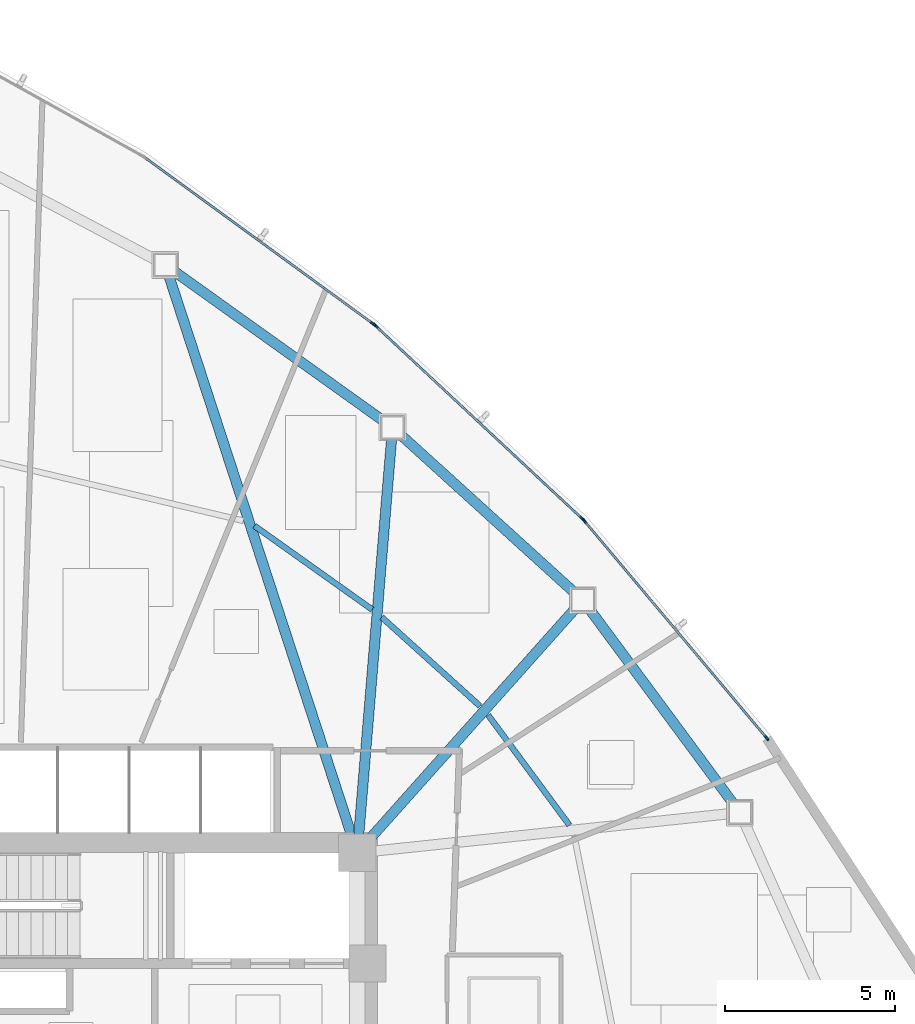
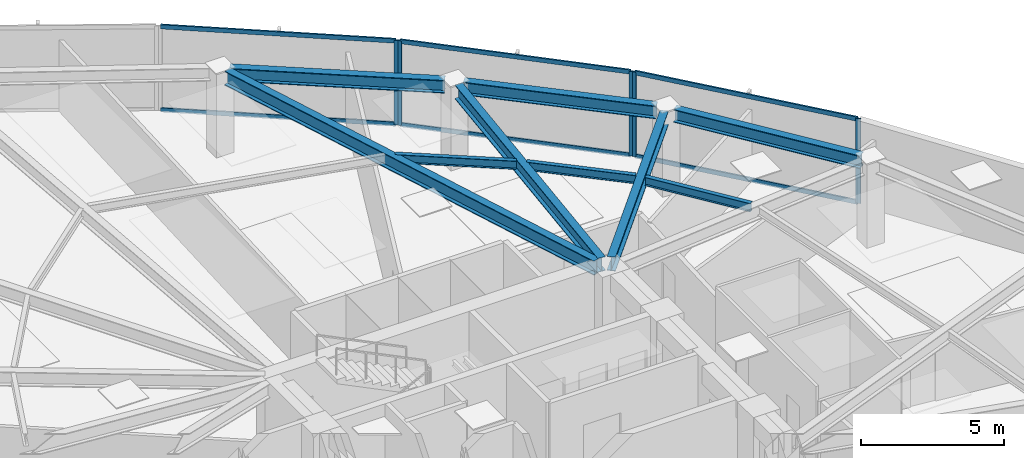
# One storey, part 9 of 17: 11 members, 9 beams, 3 elements without a shape of their own.
"""IFC4 building model written with IfcOpenShell, lengths in metres."""

from ifc_helpers import new_model, si_unit, direction, frame, origin, origin_2d, place, context, subcontext, project, spatial, hollow_rectangle, i_section, extrude, source, transform, mapped, material, layer, layer_set, material_profile, profile_set, type_object, type_shapes, element, aggregate, save


model = new_model("IFC4")

# Units and contexts
model_context = context("Model", 3, precision=1e-05, world=origin(), true_north=direction((0.0, 1.0)))
body_context = subcontext(model_context, "Body", "Model", "MODEL_VIEW")
ifc_project = project(units=[si_unit("LENGTHUNIT", "METRE"), si_unit("AREAUNIT", "SQUARE_METRE"), si_unit("VOLUMEUNIT", "CUBIC_METRE"), si_unit("PLANEANGLEUNIT", "RADIAN"), si_unit("MASSUNIT", "GRAM", prefix="KILO")], contexts=[model_context])

# Site, building, storey
site_placement = place(None, origin())
site = spatial("IfcSite", under=ifc_project, at=site_placement, CompositionType="ELEMENT")
building_placement = place(site_placement, origin())
building = spatial("IfcBuilding", under=site, at=building_placement, Name="Tavelor Broadcast Tower", CompositionType="ELEMENT")
storey_placement = place(building_placement, frame((0.0, 0.0, 82.199951171875)))
storey = spatial("IfcBuildingStorey", under=building, at=storey_placement, Name="L19", CompositionType="ELEMENT", Elevation=82.199951171875)

# Beams
ifc_material_1 = material(Name="Steel S355", Category="steel")
ifc_material_profile_1 = material_profile(ifc_material_1, i_section(OverallWidth=0.169921875, OverallDepth=0.360107421875, WebThickness=0.008056640625, FlangeThickness=0.0126953125, at=origin_2d()), Name="IPE 360")
ifc_profile_set_1 = profile_set([ifc_material_profile_1], Name="Steel S355")
beam_type_1 = type_object("IfcBeamType", Name="Composite Floor Joist T2 IPE 360", PredefinedType="JOIST", material=ifc_profile_set_1)
beam_1_placement = place(storey_placement, frame((62.831298828125, 52.012451171875, 3.420166015625), z_axis=(-0.593748309908, 0.804650821463, 0.0), x_axis=(-0.804650821463, -0.593748309908, 0.0)))
element("IfcBeam", 1, at=beam_1_placement, inside=storey, type_object=beam_type_1, Name="L19 Secondary Composite Floor Joist 15", PredefinedType="JOIST", context=body_context, shape_type="SweptSolid", body=[
    extrude(i_section(OverallWidth=0.169921875, OverallDepth=0.360107421875, WebThickness=0.008056640625, FlangeThickness=0.0126953125, at=origin_2d()), origin(), (0.0, 0.0, 1.0), 4.016845703125),
])
beam_2_placement = place(storey_placement, frame((60.20458984375, 55.51171875, 3.420166015625), z_axis=(-0.741870075826, 0.670543653011, 0.0), x_axis=(-0.670543653011, -0.741870075826, 0.0)))
element("IfcBeam", 2, at=beam_2_placement, inside=storey, type_object=beam_type_1, Name="L19 Secondary Composite Floor Joist 16", PredefinedType="JOIST", context=body_context, shape_type="SweptSolid", body=[
    extrude(i_section(OverallWidth=0.169921875, OverallDepth=0.360107421875, WebThickness=0.008056640625, FlangeThickness=0.0126953125, at=origin_2d()), origin(), (0.0, 0.0, 1.0), 3.891845703125),
])
beam_3_placement = place(storey_placement, frame((57.03564453125, 58.34765625, 3.420166015625), z_axis=(-0.814948080737, 0.579533972864, 0.0), x_axis=(-0.579533972864, -0.814948080737, 0.0)))
element("IfcBeam", 3, at=beam_3_placement, inside=storey, type_object=beam_type_1, Name="L19 Secondary Composite Floor Joist 17", PredefinedType="JOIST", context=body_context, shape_type="SweptSolid", body=[
    extrude(i_section(OverallWidth=0.169921875, OverallDepth=0.360107421875, WebThickness=0.008056640625, FlangeThickness=0.0126953125, at=origin_2d()), origin(), (0.0, 0.0, 1.0), 4.24462890625),
])
ifc_material_profile_2 = material_profile(ifc_material_1, i_section(OverallWidth=0.300048828125, OverallDepth=0.550048828125, WebThickness=0.014892578125, FlangeThickness=0.029052734375, at=origin_2d()), Name="HEB 550")
ifc_profile_set_2 = profile_set([ifc_material_profile_2], Name="Steel S355")
beam_type_2 = type_object("IfcBeamType", Name="Perimeter Spandrel Beam T2 HEB 550", PredefinedType="SPANDREL", material=ifc_profile_set_2)
beam_4_placement = place(storey_placement, frame((67.640869140625, 52.652587890625, 3.324951171875), z_axis=(-0.594676591659, 0.803965018724, 0.0), x_axis=(-0.803965018724, -0.594676591659, 0.0)))
element("IfcBeam", 4, at=beam_4_placement, inside=storey, type_object=beam_type_2, Name="L19 Framed-Tube Ring Spandrel 15", PredefinedType="SPANDREL", context=body_context, shape_type="SweptSolid", body=[
    extrude(i_section(OverallWidth=0.300048828125, OverallDepth=0.550048828125, WebThickness=0.014892578125, FlangeThickness=0.029052734375, at=origin_2d()), origin(), (0.0, 0.0, 1.0), 7.09130859375),
])
beam_5_placement = place(storey_placement, frame((62.975341796875, 58.849609375, 3.324951171875), z_axis=(-0.740416987409, 0.672147814663, 0.0), x_axis=(-0.672147814663, -0.740416987409, 0.0)))
element("IfcBeam", 5, at=beam_5_placement, inside=storey, type_object=beam_type_2, Name="L19 Framed-Tube Ring Spandrel 16", PredefinedType="SPANDREL", context=body_context, shape_type="SweptSolid", body=[
    extrude(i_section(OverallWidth=0.300048828125, OverallDepth=0.550048828125, WebThickness=0.014892578125, FlangeThickness=0.029052734375, at=origin_2d()), origin(), (0.0, 0.0, 1.0), 6.876953125),
])
beam_6_placement = place(storey_placement, frame((57.361572265625, 63.893310546875, 3.324951171875), z_axis=(-0.813492458128, 0.581575464208, 0.0), x_axis=(-0.581575464208, -0.813492458128, 0.0)))
element("IfcBeam", 6, at=beam_6_placement, inside=storey, type_object=beam_type_2, Name="L19 Framed-Tube Ring Spandrel 17", PredefinedType="SPANDREL", context=body_context, shape_type="SweptSolid", body=[
    extrude(i_section(OverallWidth=0.300048828125, OverallDepth=0.550048828125, WebThickness=0.014892578125, FlangeThickness=0.029052734375, at=origin_2d()), origin(), (0.0, 0.0, 1.0), 7.531005859375),
])
ifc_material_profile_3 = material_profile(ifc_material_1, i_section(OverallWidth=0.300048828125, OverallDepth=0.60009765625, WebThickness=0.015380859375, FlangeThickness=0.030029296875, at=origin_2d()), Name="HEB 600")
ifc_profile_set_3 = profile_set([ifc_material_profile_3], Name="Steel S355")
beam_type_3 = type_object("IfcBeamType", Name="Radial Floor Girder T2 HEB 600", PredefinedType="BEAM", material=ifc_profile_set_3)
beam_7_placement = place(storey_placement, frame((56.951416015625, 51.593994140625, 3.300048828125), z_axis=(0.665778646807, 0.74614931043, 0.0), x_axis=(-0.74614931043, 0.665778646807, 0.0)))
element("IfcBeam", 7, at=beam_7_placement, inside=storey, type_object=beam_type_3, Name="L19 Radial Primary Floor Girder 16", PredefinedType="BEAM", context=body_context, shape_type="SweptSolid", body=[
    extrude(i_section(OverallWidth=0.300048828125, OverallDepth=0.60009765625, WebThickness=0.015380859375, FlangeThickness=0.030029296875, at=origin_2d()), origin(), (0.0, 0.0, 1.0), 9.085693359375),
])
beam_8_placement = place(storey_placement, frame((56.6435546875, 51.726318359375, 3.300048828125), z_axis=(0.082528077466, 0.996588739867, 0.0), x_axis=(-0.996588739867, 0.082528077466, 0.0)))
element("IfcBeam", 8, at=beam_8_placement, inside=storey, type_object=beam_type_3, Name="L19 Radial Primary Floor Girder 17", PredefinedType="BEAM", context=body_context, shape_type="SweptSolid", body=[
    extrude(i_section(OverallWidth=0.300048828125, OverallDepth=0.60009765625, WebThickness=0.015380859375, FlangeThickness=0.030029296875, at=origin_2d()), origin(), (0.0, 0.0, 1.0), 11.67626953125),
])
beam_9_placement = place(storey_placement, frame((56.43603515625, 51.701904296875, 3.300048828125), z_axis=(-0.310367170997, 0.950616757251, 0.0), x_axis=(-0.950616757251, -0.310367170997, 0.0)))
element("IfcBeam", 9, at=beam_9_placement, inside=storey, type_object=beam_type_3, Name="L19 Radial Primary Floor Girder 18", PredefinedType="BEAM", context=body_context, shape_type="SweptSolid", body=[
    extrude(i_section(OverallWidth=0.300048828125, OverallDepth=0.60009765625, WebThickness=0.015380859375, FlangeThickness=0.030029296875, at=origin_2d()), origin(), (0.0, 0.0, 1.0), 17.3017578125),
])

# Curtain wall, members
ifc_material_2 = material(Name="Architectural Anodized Aluminium", Category="aluminium")
ifc_layer = layer(ifc_material_2, 0.179931640625)
ifc_layer_set = layer_set([ifc_layer], Name="Architectural Anodized Aluminium")
curtain_wall_type = type_object("IfcCurtainWallType", Name="Tower Low-Zone Unitised Curtain Wall CW02", PredefinedType="NOTDEFINED", material=ifc_layer_set)
curtain_wall_1_placement = place(storey_placement, origin())
curtain_wall_1 = element("IfcCurtainWall", 10, at=curtain_wall_1_placement, inside=storey, type_object=curtain_wall_type, Name="L19 Curtain Wall CW02 Run 189", PredefinedType="NOTDEFINED")
ifc_material_profile_4 = material_profile(ifc_material_2, hollow_rectangle(XDim=0.06494140625, YDim=0.179931640625, WallThickness=0.02197265625, at=origin_2d()), Name="RHS 65x180x22")
ifc_profile_set_4 = profile_set([ifc_material_profile_4], Name="Architectural Anodized Aluminium")
member_type_1 = type_object("IfcMemberType", Name="CW02 Extruded Aluminium Mullion 65x180", PredefinedType="MULLION", material=ifc_profile_set_4)
shared_shape_1 = source(origin(), body_context, "Body", "SweptSolid", [
    extrude(hollow_rectangle(XDim=0.06494140625, YDim=0.179931640625, WallThickness=0.02197265625, at=origin_2d()), origin(), (0.0, 0.0, 1.0), 3.60009765625),
])
type_shapes(member_type_1, [shared_shape_1])
member_1_placement = place(storey_placement, frame((68.6220703125, 54.576904296875, 0.0), z_axis=(0.0, 0.0, 1.0), x_axis=(-0.765764316747, -0.643121303641, 0.0)))
member_1 = element("IfcMember", 11, at=member_1_placement, type_object=member_type_1, Name="CW02 mullion 1", PredefinedType="MULLION", context=body_context, shape_type="MappedRepresentation", body=[
    mapped(shared_shape_1, transform((0.0, 0.0, 0.0), scale=1.0)),
])
member_2_placement = place(storey_placement, frame((63.272705078125, 60.9462890625, 0.0), z_axis=(0.0, 0.0, 1.0), x_axis=(-0.765764316747, -0.643121303641, 0.0)))
member_2 = element("IfcMember", 12, at=member_2_placement, type_object=member_type_1, Name="CW02 mullion 2", PredefinedType="MULLION", context=body_context, shape_type="MappedRepresentation", body=[
    mapped(shared_shape_1, transform((0.0, 0.0, 0.0), scale=1.0)),
])

curtain_wall_2_placement = place(storey_placement, origin())
curtain_wall_2 = element("IfcCurtainWall", 13, at=curtain_wall_2_placement, inside=storey, type_object=curtain_wall_type, Name="L19 Curtain Wall CW02 Run 190", PredefinedType="NOTDEFINED")
member_3_placement = place(storey_placement, frame((63.20751953125, 61.01513671875, 0.0), z_axis=(0.0, 0.0, 1.0), x_axis=(-0.682319527744, -0.731054076016, 0.0)))
member_3 = element("IfcMember", 14, at=member_3_placement, type_object=member_type_1, Name="CW02 mullion 1", PredefinedType="MULLION", context=body_context, shape_type="MappedRepresentation", body=[
    mapped(shared_shape_1, transform((0.0, 0.0, 0.0), scale=1.0)),
])
member_4_placement = place(storey_placement, frame((57.1376953125, 66.68017578125, 0.0), z_axis=(0.0, 0.0, 1.0), x_axis=(-0.682319527744, -0.731054076016, 0.0)))
member_4 = element("IfcMember", 15, at=member_4_placement, type_object=member_type_1, Name="CW02 mullion 2", PredefinedType="MULLION", context=body_context, shape_type="MappedRepresentation", body=[
    mapped(shared_shape_1, transform((0.0, 0.0, 0.0), scale=1.0)),
])

# Curtain wall, member
curtain_wall_3_placement = place(storey_placement, origin())
curtain_wall_3 = element("IfcCurtainWall", 16, at=curtain_wall_3_placement, inside=storey, type_object=curtain_wall_type, Name="L19 Curtain Wall CW02 Run 191", PredefinedType="NOTDEFINED")
member_5_placement = place(storey_placement, frame((57.064453125, 66.74072265625, 0.0), z_axis=(0.0, 0.0, 1.0), x_axis=(-0.588830917956, -0.808256240347, 0.0)))
member_5 = element("IfcMember", 17, at=member_5_placement, type_object=member_type_1, Name="CW02 mullion 1", PredefinedType="MULLION", context=body_context, shape_type="MappedRepresentation", body=[
    mapped(shared_shape_1, transform((0.0, 0.0, 0.0), scale=1.0)),
])

# Member
ifc_material_profile_5 = material_profile(ifc_material_2, hollow_rectangle(XDim=0.06494140625, YDim=0.179931640625, WallThickness=0.02197265625, at=origin_2d()), Name="RHS 65x180x22")
ifc_profile_set_5 = profile_set([ifc_material_profile_5], Name="Architectural Anodized Aluminium")
member_type_2 = type_object("IfcMemberType", Name="CW02 Extruded Aluminium Transom 65x180", PredefinedType="USERDEFINED", material=ifc_profile_set_5)
shared_shape_2 = source(origin(), body_context, "Body", "SweptSolid", [
    extrude(hollow_rectangle(XDim=0.06494140625, YDim=0.179931640625, WallThickness=0.02197265625, at=origin_2d()), origin(), (0.0, 0.0, 1.0), 8.2529296875),
])
member_6_placement = place(storey_placement, frame((68.601318359375, 54.6015625, 0.032470703125), z_axis=(-0.643118544043, 0.765766634366, 0.0), x_axis=(-0.765766634366, -0.643118544043, 0.0)))
member_6 = element("IfcMember", 18, at=member_6_placement, type_object=member_type_2, Name="CW02 transom 1.1", ObjectType="TRANSOM", PredefinedType="USERDEFINED", context=body_context, shape_type="MappedRepresentation", body=[
    mapped(shared_shape_2, transform((0.0, 0.0, 0.0), scale=1.0)),
])

member_7_placement = place(storey_placement, frame((68.601318359375, 54.6015625, 3.567626953125), z_axis=(-0.643118544043, 0.765766634366, 0.0), x_axis=(-0.765766634366, -0.643118544043, 0.0)))
member_7 = element("IfcMember", 19, at=member_7_placement, type_object=member_type_2, Name="CW02 transom 1.2", ObjectType="TRANSOM", PredefinedType="USERDEFINED", context=body_context, shape_type="MappedRepresentation", body=[
    mapped(shared_shape_2, transform((0.0, 0.0, 0.0), scale=1.0)),
])

aggregate(curtain_wall_1, [member_1, member_2, member_6, member_7])

shared_shape_3 = source(origin(), body_context, "Body", "SweptSolid", [
    extrude(hollow_rectangle(XDim=0.06494140625, YDim=0.179931640625, WallThickness=0.02197265625, at=origin_2d()), origin(), (0.0, 0.0, 1.0), 8.23779296875),
])
member_8_placement = place(storey_placement, frame((57.038330078125, 66.759765625, 0.032470703125), z_axis=(-0.808259064131, 0.58882704188, 0.0), x_axis=(-0.58882704188, -0.808259064131, 0.0)))
member_8 = element("IfcMember", 20, at=member_8_placement, type_object=member_type_2, Name="CW02 transom 1.1", ObjectType="TRANSOM", PredefinedType="USERDEFINED", context=body_context, shape_type="MappedRepresentation", body=[
    mapped(shared_shape_3, transform((0.0, 0.0, 0.0), scale=1.0)),
])

member_9_placement = place(storey_placement, frame((57.038330078125, 66.759765625, 3.567626953125), z_axis=(-0.808259064131, 0.58882704188, 0.0), x_axis=(-0.58882704188, -0.808259064131, 0.0)))
member_9 = element("IfcMember", 21, at=member_9_placement, type_object=member_type_2, Name="CW02 transom 1.2", ObjectType="TRANSOM", PredefinedType="USERDEFINED", context=body_context, shape_type="MappedRepresentation", body=[
    mapped(shared_shape_3, transform((0.0, 0.0, 0.0), scale=1.0)),
])

aggregate(curtain_wall_3, [member_5, member_8, member_9])

shared_shape_4 = source(origin(), body_context, "Body", "SweptSolid", [
    extrude(hollow_rectangle(XDim=0.06494140625, YDim=0.179931640625, WallThickness=0.02197265625, at=origin_2d()), origin(), (0.0, 0.0, 1.0), 8.237548828125),
])
type_shapes(member_type_2, [shared_shape_2, shared_shape_3, shared_shape_4])
member_10_placement = place(storey_placement, frame((63.18359375, 61.037353515625, 0.032470703125), z_axis=(-0.7310631527, 0.682309802629, 0.0), x_axis=(-0.682309802629, -0.7310631527, 0.0)))
member_10 = element("IfcMember", 22, at=member_10_placement, type_object=member_type_2, Name="CW02 transom 1.1", ObjectType="TRANSOM", PredefinedType="USERDEFINED", context=body_context, shape_type="MappedRepresentation", body=[
    mapped(shared_shape_4, transform((0.0, 0.0, 0.0), scale=1.0)),
])

member_11_placement = place(storey_placement, frame((63.18359375, 61.037353515625, 3.567626953125), z_axis=(-0.7310631527, 0.682309802629, 0.0), x_axis=(-0.682309802629, -0.7310631527, 0.0)))
member_11 = element("IfcMember", 23, at=member_11_placement, type_object=member_type_2, Name="CW02 transom 1.2", ObjectType="TRANSOM", PredefinedType="USERDEFINED", context=body_context, shape_type="MappedRepresentation", body=[
    mapped(shared_shape_4, transform((0.0, 0.0, 0.0), scale=1.0)),
])

aggregate(curtain_wall_2, [member_3, member_4, member_10, member_11])

save(model, "model.ifc")
